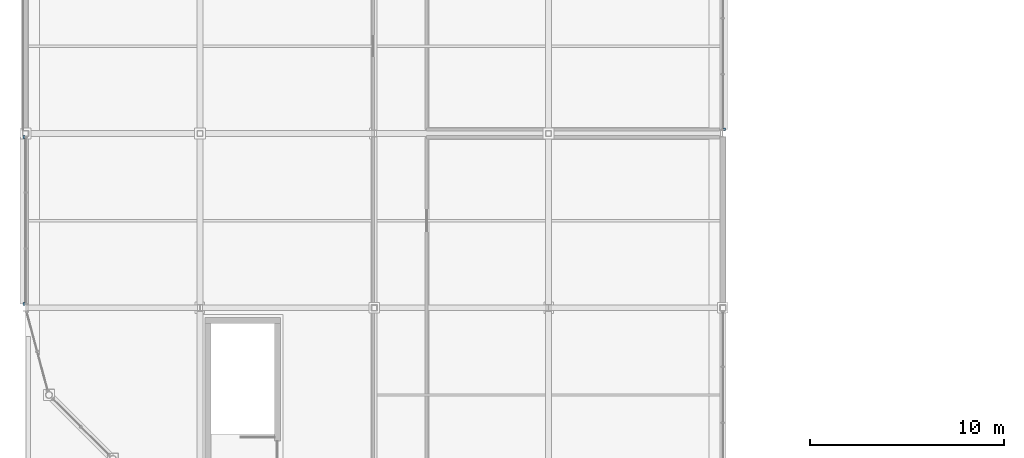
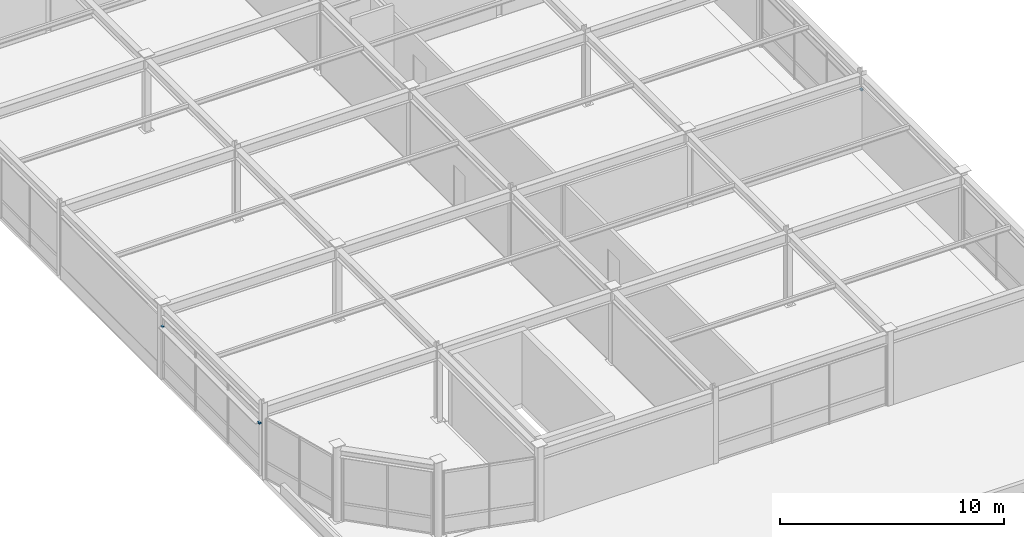
# One storey, part 85 of 108: 3 discrete accessories.
"""IFC4 building model written with IfcOpenShell, lengths in metres."""

from ifc_helpers import new_model, si_unit, direction, frame, origin, origin_2d, place, context, subcontext, project, spatial, rectangle, extrude, material, type_object, element, save


model = new_model("IFC4")

# Units and contexts
model_context = context("Model", 3, precision=1e-05, world=origin(), true_north=direction((0.0, 1.0)))
body_context = subcontext(model_context, "Body", "Model", "MODEL_VIEW")
ifc_project = project(units=[si_unit("LENGTHUNIT", "METRE"), si_unit("AREAUNIT", "SQUARE_METRE"), si_unit("VOLUMEUNIT", "CUBIC_METRE"), si_unit("PLANEANGLEUNIT", "RADIAN"), si_unit("MASSUNIT", "GRAM", prefix="KILO")], contexts=[model_context])

# Site, building, storey
site_placement = place(None, origin())
site = spatial("IfcSite", under=ifc_project, at=site_placement, CompositionType="ELEMENT")
building_placement = place(site_placement, origin())
building = spatial("IfcBuilding", under=site, at=building_placement, Name="Suzunagisa Mobility Hub", CompositionType="ELEMENT")
storey_placement = place(building_placement, frame((0.0, 0.0, 9.300048828125)))
storey = spatial("IfcBuildingStorey", under=building, at=storey_placement, Name="L02", CompositionType="ELEMENT", Elevation=9.300048828125)

# Discrete accessories
ifc_material = material(Name="Stainless Steel SUS316", Category="metal")
discrete_accessory_type = type_object("IfcDiscreteAccessoryType", Name="Stainless Sunshade Outrigger Bracket BRK-01", PredefinedType="BRACKET", material=ifc_material)
for number, where, z_axis, x_axis, name in (
    (1, (36.0849609375, 27.199951171875, 2.841796875), (0.0, 0.0, 1.0), (0.0, 1.0, 0.0), "Sunshade Outrigger Bracket BRK-6.1"),
    (2, (-0.0849609375, 26.820068359375, 2.841796875), (0.0, 0.0, 1.0), (0.0, -1.0, 0.0), "Sunshade Outrigger Bracket BRK-8.1"),
    (3, (-0.0849609375, 18.199951171875, 2.841796875), (0.0, 0.0, 1.0), (0.0, -1.0, 0.0), "Sunshade Outrigger Bracket BRK-8.2"),
):
    element("IfcDiscreteAccessory", number, at=place(storey_placement, frame(where, z_axis=z_axis, x_axis=x_axis)), inside=storey, type_object=discrete_accessory_type, Name=name, PredefinedType="BRACKET", context=body_context, shape_type="SweptSolid", body=[
        extrude(rectangle(XDim=0.159912109375, YDim=0.1201171875, at=origin_2d()), origin(), (0.0, 0.0, 1.0), 0.080078125),
    ])

save(model, "model.ifc")
